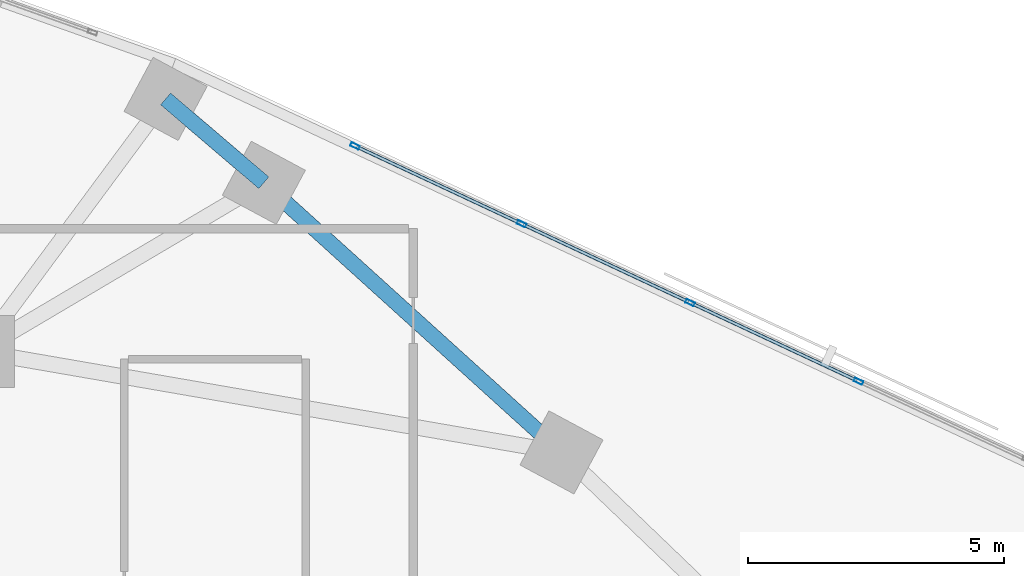
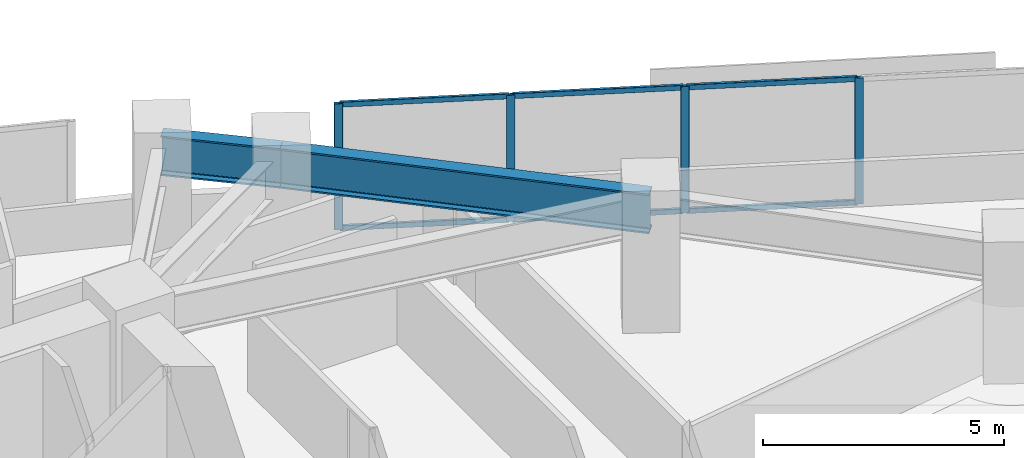
# One storey, part 4 of 14: 10 members, 2 beams, 1 element without a shape of its own.
"""IFC4 building model written with IfcOpenShell, lengths in metres."""

from ifc_helpers import new_model, si_unit, direction, frame, origin, origin_2d, place, context, subcontext, project, spatial, hollow_rectangle, i_section, extrude, material, material_profile, profile_set, type_object, element, aggregate, save


model = new_model("IFC4")

# Units and contexts
model_context = context("Model", 3, precision=1e-05, world=origin(), true_north=direction((0.0, 1.0)))
body_context = subcontext(model_context, "Body", "Model", "MODEL_VIEW")
ifc_project = project(units=[si_unit("LENGTHUNIT", "METRE"), si_unit("AREAUNIT", "SQUARE_METRE"), si_unit("VOLUMEUNIT", "CUBIC_METRE"), si_unit("PLANEANGLEUNIT", "RADIAN"), si_unit("MASSUNIT", "GRAM", prefix="KILO")], contexts=[model_context])

# Site, building, storey
site_placement = place(None, origin())
site = spatial("IfcSite", under=ifc_project, at=site_placement, CompositionType="ELEMENT")
building_placement = place(site_placement, origin())
building = spatial("IfcBuilding", under=site, at=building_placement, Name="Narakoshi Arena Tower", CompositionType="ELEMENT")
storey_placement = place(building_placement, frame((0.0, 0.0, 161.10009765625)))
storey = spatial("IfcBuildingStorey", under=building, at=storey_placement, Name="L43", CompositionType="ELEMENT", Elevation=161.10009765625)

# Beams
ifc_material_1 = material(Name="Structural steel S460ML", Category="steel")
ifc_material_profile_1 = material_profile(ifc_material_1, i_section(OverallWidth=0.302001953125, OverallDepth=1.008056640625, WebThickness=0.02099609375, FlangeThickness=0.0400390625, FilletRadius=0.030029296875, at=origin_2d()), Name="HE1000M")
ifc_profile_set_1 = profile_set([ifc_material_profile_1], Name="Structural steel S460ML")
beam_type = type_object("IfcBeamType", Name="BM-XFER-1000", PredefinedType="BEAM", material=ifc_profile_set_1)
beam_1_placement = place(storey_placement, frame((96.9443359375, 54.528076171875, 2.69580078125), z_axis=(-0.741140720169, 0.671349709844, 0.0), x_axis=(-0.671349709844, -0.741140720169, 0.0)))
element("IfcBeam", 1, at=beam_1_placement, inside=storey, type_object=beam_type, Name="L43 Block-Turn Transfer Chord Girder 05", PredefinedType="BEAM", context=body_context, shape_type="SweptSolid", body=[
    extrude(i_section(OverallWidth=0.302001953125, OverallDepth=1.008056640625, WebThickness=0.02099609375, FlangeThickness=0.0400390625, FilletRadius=0.030029296875, at=origin_2d()), origin(), (0.0, 0.0, 1.0), 7.849853515625),
])
beam_2_placement = place(storey_placement, frame((89.206787109375, 61.437744140625, 2.69580078125), z_axis=(0.760388602298, -0.649468377595, 0.0), x_axis=(0.649468377595, 0.760388602298, 0.0)))
element("IfcBeam", 2, at=beam_2_placement, inside=storey, type_object=beam_type, Name="L43 Block-Turn Transfer Chord Girder 06", PredefinedType="BEAM", context=body_context, shape_type="SweptSolid", body=[
    extrude(i_section(OverallWidth=0.302001953125, OverallDepth=1.008056640625, WebThickness=0.02099609375, FlangeThickness=0.0400390625, FilletRadius=0.030029296875, at=origin_2d()), origin(), (0.0, 0.0, 1.0), 2.524658203125),
])

# Curtain wall, members
ifc_material_2 = material(Name="Anodised bronze aluminium 6063-T6", Category="aluminium")
curtain_wall_type = type_object("IfcCurtainWallType", Name="CW-HYP-MID", PredefinedType="NOTDEFINED", material=ifc_material_2)
curtain_wall_placement = place(storey_placement, origin())
curtain_wall = element("IfcCurtainWall", 3, at=curtain_wall_placement, inside=storey, type_object=curtain_wall_type, Name="L43 Folded Hypotenuse Curtain Wall 1-1", PredefinedType="NOTDEFINED")
ifc_material_profile_2 = material_profile(ifc_material_2, hollow_rectangle(XDim=0.074951171875, YDim=0.179931640625, WallThickness=0.00390625, OuterFilletRadius=0.0048828125, at=origin_2d()), Name="MUL180x75x4")
ifc_profile_set_2 = profile_set([ifc_material_profile_2], Name="Anodised bronze aluminium 6063-T6")
member_type_1 = type_object("IfcMemberType", Name="MEM-MUL-180", PredefinedType="MULLION", material=ifc_profile_set_2)
member_1_placement = place(storey_placement, frame((102.75048828125, 55.917236328125, 0.0), z_axis=(0.0, 0.0, 1.0), x_axis=(-0.423531721612, -0.905881273009, 0.0)))
member_1 = element("IfcMember", 4, at=member_1_placement, type_object=member_type_1, Name="CW-02 mullion 6", PredefinedType="MULLION", context=body_context, shape_type="SweptSolid", body=[
    extrude(hollow_rectangle(XDim=0.074951171875, YDim=0.179931640625, WallThickness=0.00390625, OuterFilletRadius=0.0048828125, at=origin_2d()), origin(), (0.0, 0.0, 1.0), 3.199951171875),
])
member_2_placement = place(storey_placement, frame((99.458984375, 57.4560546875, 0.0), z_axis=(0.0, 0.0, 1.0), x_axis=(-0.423531721612, -0.905881273009, 0.0)))
member_2 = element("IfcMember", 5, at=member_2_placement, type_object=member_type_1, Name="CW-02 mullion 7", PredefinedType="MULLION", context=body_context, shape_type="SweptSolid", body=[
    extrude(hollow_rectangle(XDim=0.074951171875, YDim=0.179931640625, WallThickness=0.00390625, OuterFilletRadius=0.0048828125, at=origin_2d()), origin(), (0.0, 0.0, 1.0), 3.199951171875),
])
member_3_placement = place(storey_placement, frame((96.16748046875, 58.994873046875, 0.0), z_axis=(0.0, 0.0, 1.0), x_axis=(-0.423531721612, -0.905881273009, 0.0)))
member_3 = element("IfcMember", 6, at=member_3_placement, type_object=member_type_1, Name="CW-02 mullion 8", PredefinedType="MULLION", context=body_context, shape_type="SweptSolid", body=[
    extrude(hollow_rectangle(XDim=0.074951171875, YDim=0.179931640625, WallThickness=0.00390625, OuterFilletRadius=0.0048828125, at=origin_2d()), origin(), (0.0, 0.0, 1.0), 3.199951171875),
])
member_4_placement = place(storey_placement, frame((92.91015625, 60.517822265625, 0.0), z_axis=(0.0, 0.0, 1.0), x_axis=(-0.423531721612, -0.905881273009, 0.0)))
member_4 = element("IfcMember", 7, at=member_4_placement, type_object=member_type_1, Name="CW-02 mullion 9", PredefinedType="MULLION", context=body_context, shape_type="SweptSolid", body=[
    extrude(hollow_rectangle(XDim=0.074951171875, YDim=0.179931640625, WallThickness=0.00390625, OuterFilletRadius=0.0048828125, at=origin_2d()), origin(), (0.0, 0.0, 1.0), 3.199951171875),
])
ifc_material_profile_3 = material_profile(ifc_material_2, hollow_rectangle(XDim=0.06494140625, YDim=0.1298828125, WallThickness=0.00390625, OuterFilletRadius=0.0048828125, at=origin_2d()), Name="TRN130x65x4")
ifc_profile_set_3 = profile_set([ifc_material_profile_3], Name="Anodised bronze aluminium 6063-T6")
member_type_2 = type_object("IfcMemberType", Name="MEM-TRN-130", PredefinedType="USERDEFINED", material=ifc_profile_set_3)
member_5_placement = place(storey_placement, frame((102.716552734375, 55.93310546875, 0.032470703125), z_axis=(-0.905877908574, 0.423538917642, 0.0), x_axis=(-0.423538917642, -0.905877908574, 0.0)))
member_5 = element("IfcMember", 8, at=member_5_placement, type_object=member_type_2, Name="CW-02 transom 6.1", ObjectType="TRANSOM", PredefinedType="USERDEFINED", context=body_context, shape_type="SweptSolid", body=[
    extrude(hollow_rectangle(XDim=0.06494140625, YDim=0.1298828125, WallThickness=0.00390625, OuterFilletRadius=0.0048828125, at=origin_2d()), origin(), (0.0, 0.0, 1.0), 3.558349609375),
])
member_6_placement = place(storey_placement, frame((102.716552734375, 55.93310546875, 3.16748046875), z_axis=(-0.905877908574, 0.423538917642, 0.0), x_axis=(-0.423538917642, -0.905877908574, 0.0)))
member_6 = element("IfcMember", 9, at=member_6_placement, type_object=member_type_2, Name="CW-02 transom 6.2", ObjectType="TRANSOM", PredefinedType="USERDEFINED", context=body_context, shape_type="SweptSolid", body=[
    extrude(hollow_rectangle(XDim=0.06494140625, YDim=0.1298828125, WallThickness=0.00390625, OuterFilletRadius=0.0048828125, at=origin_2d()), origin(), (0.0, 0.0, 1.0), 3.558349609375),
])
member_7_placement = place(storey_placement, frame((99.425048828125, 57.471923828125, 0.032470703125), z_axis=(-0.905877908574, 0.423538917642, 0.0), x_axis=(-0.423538917642, -0.905877908574, 0.0)))
member_7 = element("IfcMember", 10, at=member_7_placement, type_object=member_type_2, Name="CW-02 transom 7.1", ObjectType="TRANSOM", PredefinedType="USERDEFINED", context=body_context, shape_type="SweptSolid", body=[
    extrude(hollow_rectangle(XDim=0.06494140625, YDim=0.1298828125, WallThickness=0.00390625, OuterFilletRadius=0.0048828125, at=origin_2d()), origin(), (0.0, 0.0, 1.0), 3.558349609375),
])
member_8_placement = place(storey_placement, frame((99.425048828125, 57.471923828125, 3.16748046875), z_axis=(-0.905877908574, 0.423538917642, 0.0), x_axis=(-0.423538917642, -0.905877908574, 0.0)))
member_8 = element("IfcMember", 11, at=member_8_placement, type_object=member_type_2, Name="CW-02 transom 7.2", ObjectType="TRANSOM", PredefinedType="USERDEFINED", context=body_context, shape_type="SweptSolid", body=[
    extrude(hollow_rectangle(XDim=0.06494140625, YDim=0.1298828125, WallThickness=0.00390625, OuterFilletRadius=0.0048828125, at=origin_2d()), origin(), (0.0, 0.0, 1.0), 3.558349609375),
])
member_9_placement = place(storey_placement, frame((96.133544921875, 59.0107421875, 0.032470703125), z_axis=(-0.9058782068, 0.423538279787, 0.0), x_axis=(-0.423538279787, -0.9058782068, 0.0)))
member_9 = element("IfcMember", 12, at=member_9_placement, type_object=member_type_2, Name="CW-02 transom 8.1", ObjectType="TRANSOM", PredefinedType="USERDEFINED", context=body_context, shape_type="SweptSolid", body=[
    extrude(hollow_rectangle(XDim=0.06494140625, YDim=0.1298828125, WallThickness=0.00390625, OuterFilletRadius=0.0048828125, at=origin_2d()), origin(), (0.0, 0.0, 1.0), 3.520751953125),
])
member_10_placement = place(storey_placement, frame((96.133544921875, 59.0107421875, 3.16748046875), z_axis=(-0.9058782068, 0.423538279787, 0.0), x_axis=(-0.423538279787, -0.9058782068, 0.0)))
member_10 = element("IfcMember", 13, at=member_10_placement, type_object=member_type_2, Name="CW-02 transom 8.2", ObjectType="TRANSOM", PredefinedType="USERDEFINED", context=body_context, shape_type="SweptSolid", body=[
    extrude(hollow_rectangle(XDim=0.06494140625, YDim=0.1298828125, WallThickness=0.00390625, OuterFilletRadius=0.0048828125, at=origin_2d()), origin(), (0.0, 0.0, 1.0), 3.520751953125),
])
aggregate(curtain_wall, [member_1, member_2, member_3, member_4, member_5, member_6, member_7, member_8, member_9, member_10])

save(model, "model.ifc")
